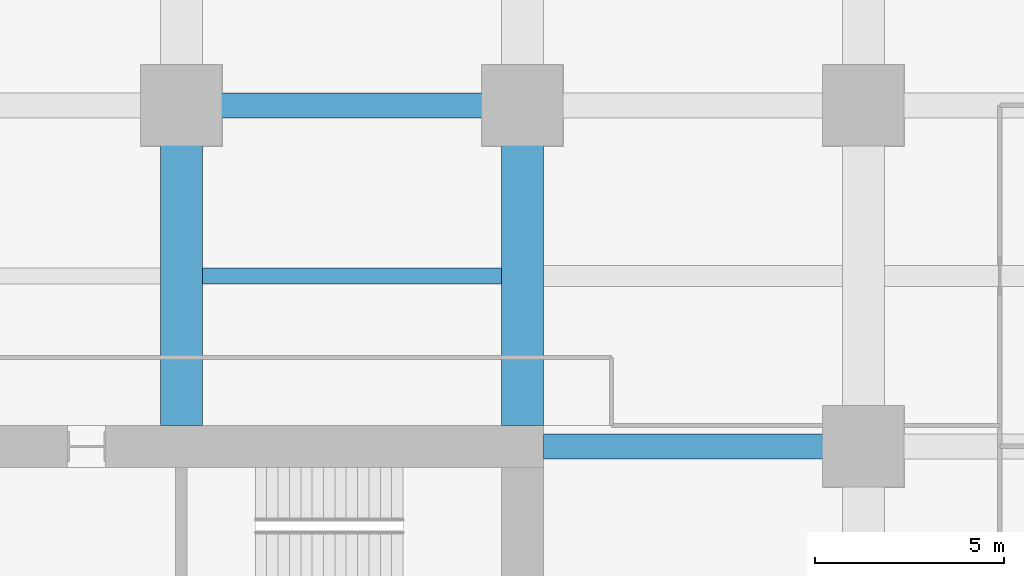
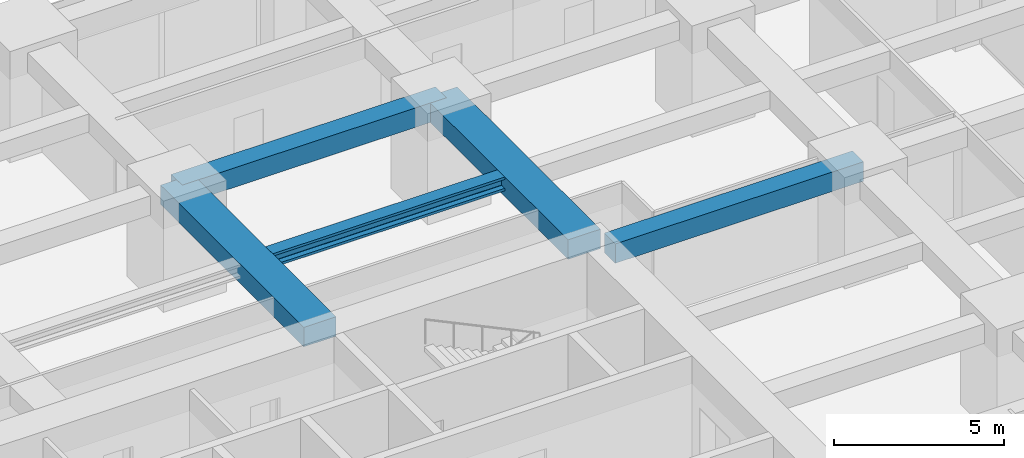
# One storey, part 31 of 44: 5 beams.
"""IFC4 building model written with IfcOpenShell, lengths in metres."""

from ifc_helpers import new_model, si_unit, direction, frame, origin, origin_2d, place, context, subcontext, project, spatial, rectangle, i_section, extrude, material, material_profile, profile_set, type_object, element, save


model = new_model("IFC4")

# Units and contexts
model_context = context("Model", 3, precision=1e-05, world=origin(), true_north=direction((0.0, 1.0)))
body_context = subcontext(model_context, "Body", "Model", "MODEL_VIEW")
ifc_project = project(units=[si_unit("LENGTHUNIT", "METRE"), si_unit("AREAUNIT", "SQUARE_METRE"), si_unit("VOLUMEUNIT", "CUBIC_METRE"), si_unit("PLANEANGLEUNIT", "RADIAN"), si_unit("MASSUNIT", "GRAM", prefix="KILO")], contexts=[model_context])

# Site, building, storey
site_placement = place(None, origin())
site = spatial("IfcSite", under=ifc_project, at=site_placement, CompositionType="ELEMENT")
building_placement = place(site_placement, origin())
building = spatial("IfcBuilding", under=site, at=building_placement, Name="Zorevar Civic Tower", CompositionType="ELEMENT")
storey_placement = place(building_placement, frame((0.0, 0.0, 51.800048828125)))
storey = spatial("IfcBuildingStorey", under=building, at=storey_placement, Name="L12", CompositionType="ELEMENT", Elevation=51.800048828125)

# Beams
ifc_material_1 = material(Name="Concrete C50/60", Category="concrete")
ifc_material_profile_1 = material_profile(ifc_material_1, rectangle(XDim=1.10009765625, YDim=0.699951171875, at=origin_2d()), Name="RC 1100x700")
ifc_profile_set_1 = profile_set([ifc_material_profile_1], Name="Concrete C50/60")
beam_type_1 = type_object("IfcBeamType", Name="Beam RC 1100x700", PredefinedType="BEAM", material=ifc_profile_set_1)
for number, where, z_axis, x_axis, name in (
    (1, (36.0, 36.550048828125, 3.39990234375), (0.0, 1.0, 0.0), (-1.0, 0.0, 0.0), "Girder L13"),
    (2, (45.0, 36.550048828125, 3.39990234375), (0.0, 1.0, 0.0), (-1.0, 0.0, 0.0), "Girder L13"),
):
    element("IfcBeam", number, at=place(storey_placement, frame(where, z_axis=z_axis, x_axis=x_axis)), inside=storey, type_object=beam_type_1, Name=name, PredefinedType="BEAM", context=body_context, shape_type="SweptSolid", body=[
        extrude(rectangle(XDim=1.10009765625, YDim=0.699951171875, at=origin_2d()), origin(), (0.0, 0.0, 1.0), 8.449951171875),
    ])
ifc_material_2 = material(Name="Concrete C50/60", Category="concrete")
ifc_material_profile_2 = material_profile(ifc_material_2, rectangle(XDim=0.64990234375, YDim=0.699951171875, at=origin_2d()), Name="RC 650x700")
ifc_profile_set_2 = profile_set([ifc_material_profile_2], Name="Concrete C50/60")
beam_type_2 = type_object("IfcBeamType", Name="Beam RC 650x700", PredefinedType="BEAM", material=ifc_profile_set_2)
beam_1_placement = place(storey_placement, frame((45.550048828125, 36.0, 3.39990234375), z_axis=(1.0, 0.0, 0.0), x_axis=(0.0, 1.0, 0.0)))
element("IfcBeam", 3, at=beam_1_placement, inside=storey, type_object=beam_type_2, Name="Girder L13", PredefinedType="BEAM", context=body_context, shape_type="SweptSolid", body=[
    extrude(rectangle(XDim=0.64990234375, YDim=0.699951171875, at=origin_2d()), origin(), (0.0, 0.0, 1.0), 8.449951171875),
])
beam_2_placement = place(storey_placement, frame((36.0, 45.0, 3.39990234375), z_axis=(1.0, 0.0, 0.0), x_axis=(0.0, 1.0, 0.0)))
element("IfcBeam", 4, at=beam_2_placement, inside=storey, type_object=beam_type_2, Name="Girder L13", PredefinedType="BEAM", context=body_context, shape_type="SweptSolid", body=[
    extrude(rectangle(XDim=0.64990234375, YDim=0.699951171875, at=origin_2d()), origin(), (0.0, 0.0, 1.0), 9.0),
])
ifc_material_3 = material(Name="Steel S460M (HISTAR 460)", Category="steel")
ifc_material_profile_3 = material_profile(ifc_material_3, i_section(OverallWidth=0.431884765625, OverallDepth=0.498046875, WebThickness=0.0556640625, FlangeThickness=0.0888671875, FilletRadius=0.014892578125, at=origin_2d()), Name="HD 400x744")
ifc_profile_set_3 = profile_set([ifc_material_profile_3], Name="Steel S460M (HISTAR 460)")
beam_type_3 = type_object("IfcBeamType", Name="Core bay beam HD 400x744", PredefinedType="BEAM", material=ifc_profile_set_3)
beam_3_placement = place(storey_placement, frame((36.550048828125, 40.5, 3.5009765625), z_axis=(1.0, 0.0, 0.0), x_axis=(0.0, 1.0, 0.0)))
element("IfcBeam", 5, at=beam_3_placement, inside=storey, type_object=beam_type_3, Name="Secondary beam L13", PredefinedType="BEAM", context=body_context, shape_type="SweptSolid", body=[
    extrude(i_section(OverallWidth=0.431884765625, OverallDepth=0.498046875, WebThickness=0.0556640625, FlangeThickness=0.0888671875, FilletRadius=0.014892578125, at=origin_2d()), origin(), (0.0, 0.0, 1.0), 7.89990234375),
])

save(model, "model.ifc")
